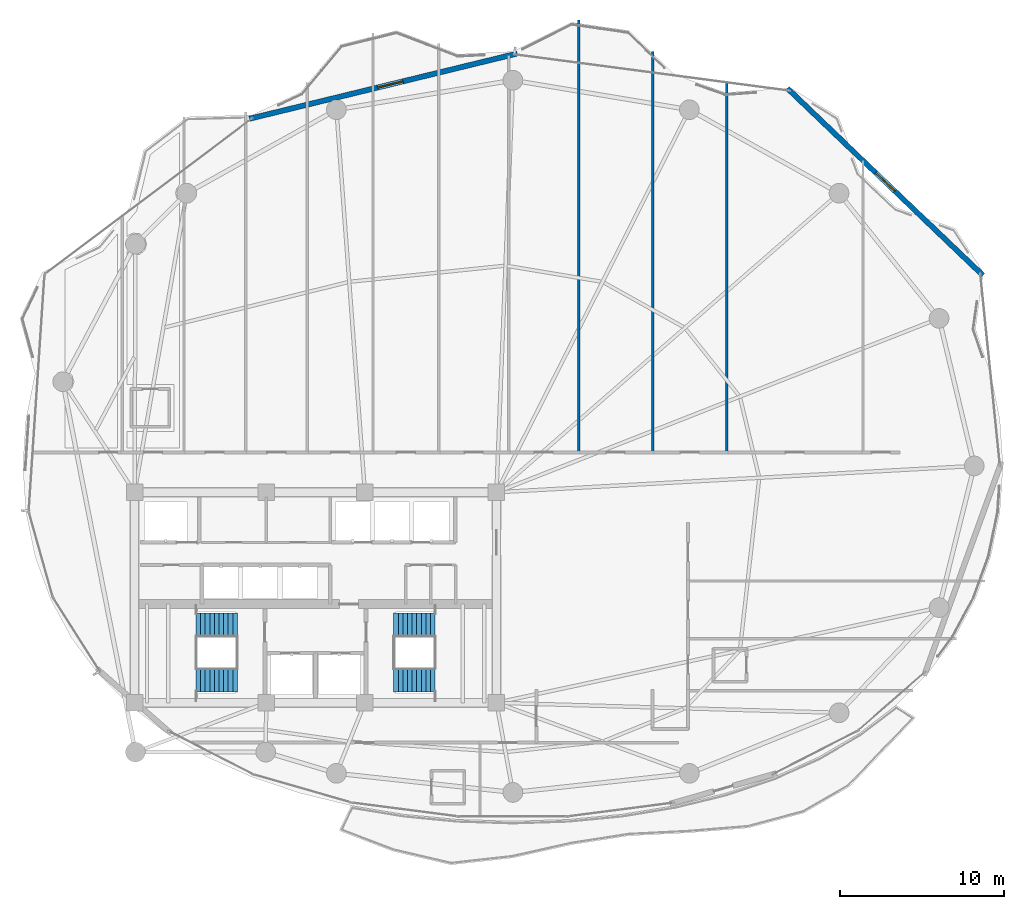
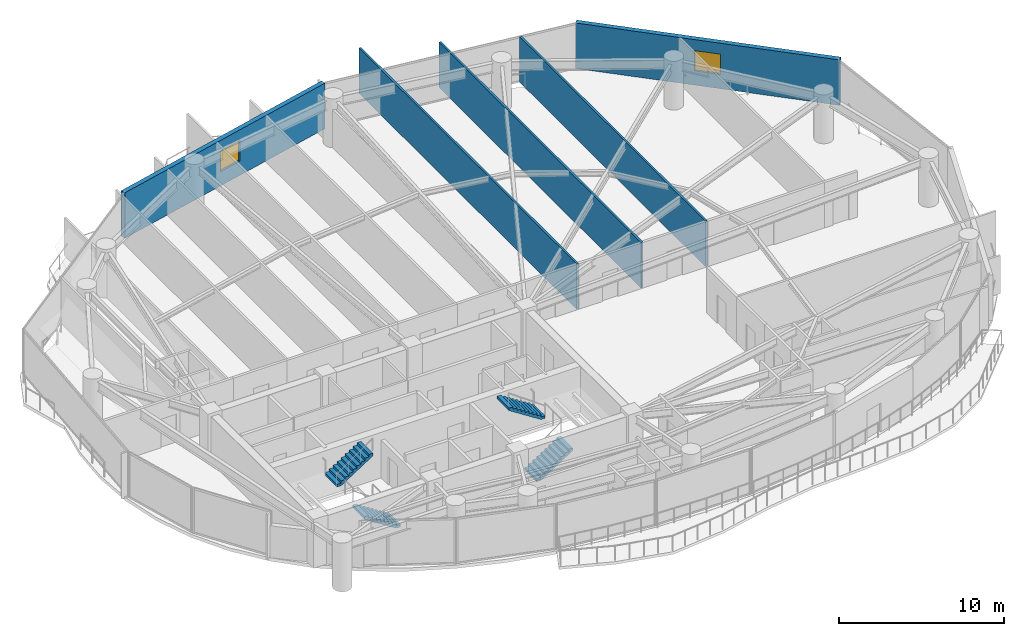
# One storey, part 27 of 31: 5 walls, 4 stair flights, 2 windows, 2 openings, 2 elements without a shape of their own.
"""IFC4 building model written with IfcOpenShell, lengths in metres."""

from ifc_helpers import new_model, si_unit, direction, frame, frame_2d, origin, place, context, subcontext, project, spatial, polyline, rectangle, outline, extrude, material, layer, layer_set, type_object, element, fill, aggregate, save


model = new_model("IFC4")

# Units and contexts
model_context = context("Model", 3, precision=1e-05, world=origin(), true_north=direction((0.0, 1.0)))
body_context = subcontext(model_context, "Body", "Model", "MODEL_VIEW")
ifc_project = project(units=[si_unit("LENGTHUNIT", "METRE"), si_unit("AREAUNIT", "SQUARE_METRE"), si_unit("VOLUMEUNIT", "CUBIC_METRE"), si_unit("PLANEANGLEUNIT", "RADIAN"), si_unit("MASSUNIT", "GRAM", prefix="KILO")], contexts=[model_context])

# Site, building, storey
site_placement = place(None, origin())
site = spatial("IfcSite", under=ifc_project, at=site_placement, CompositionType="ELEMENT")
building_placement = place(site_placement, origin())
building = spatial("IfcBuilding", under=site, at=building_placement, Name="Kazevale Care Tower and Concert Hall", CompositionType="ELEMENT")
storey_placement = place(building_placement, frame((0.0, 0.0, 117.0)))
storey = spatial("IfcBuildingStorey", under=building, at=storey_placement, Name="L30", CompositionType="ELEMENT", Elevation=117.0)

# Walls
ifc_material_1 = material(Name="Acoustic Gypsum on Steel Stud", Category="steel")
ifc_layer_1 = layer(ifc_material_1, 0.139892578125)
ifc_layer_set_1 = layer_set([ifc_layer_1], Name="Acoustic Gypsum on Steel Stud")
wall_type_1 = type_object("IfcWallType", Name="Acoustic Care & Suite Partition 140", PredefinedType="PARTITIONING", material=ifc_layer_set_1)
wall_1_placement = place(storey_placement, frame((49.0, 65.113037109375, 0.0), z_axis=(0.0, 0.0, 1.0), x_axis=(0.0, -1.0, 0.0)))
element("IfcWall", 1, at=wall_1_placement, inside=storey, type_object=wall_type_1, Name="wall:L30:auto_029", PredefinedType="PARTITIONING", context=body_context, shape_type="SweptSolid", body=[
    extrude(rectangle(XDim=26.318115234375, YDim=0.139892578125, at=frame_2d((13.1591796875, 0.0))), origin(), (0.0, 0.0, 1.0), 3.360107421875),
])
wall_2_placement = place(storey_placement, frame((53.5, 63.212890625, 0.0), z_axis=(0.0, 0.0, 1.0), x_axis=(0.0, -1.0, 0.0)))
element("IfcWall", 2, at=wall_2_placement, inside=storey, type_object=wall_type_1, Name="wall:L30:auto_030", PredefinedType="PARTITIONING", context=body_context, shape_type="SweptSolid", body=[
    extrude(rectangle(XDim=24.41796875, YDim=0.139892578125, at=frame_2d((12.208984375, 0.0))), origin(), (0.0, 0.0, 1.0), 3.360107421875),
])
wall_3_placement = place(storey_placement, frame((58.0, 61.302734375, 0.0), z_axis=(0.0, 0.0, 1.0), x_axis=(0.0, -1.0, 0.0)))
element("IfcWall", 3, at=wall_3_placement, inside=storey, type_object=wall_type_1, Name="wall:L30:auto_031", PredefinedType="PARTITIONING", context=body_context, shape_type="SweptSolid", body=[
    extrude(rectangle(XDim=22.5078125, YDim=0.139892578125, at=frame_2d((11.25390625, 0.0))), origin(), (0.0, 0.0, 1.0), 3.360107421875),
])

# Wall, opening, window
ifc_material_2 = material(Name="Concrete C40 with Honed Limestone Cladding", Category="masonry")
ifc_layer_2 = layer(ifc_material_2, 0.320068359375)
ifc_layer_set_2 = layer_set([ifc_layer_2], Name="Concrete C40 with Honed Limestone Cladding")
wall_type_2 = type_object("IfcWallType", Name="Tower Honed Limestone Spandrel Wall 320", PredefinedType="STANDARD", material=ifc_layer_set_2)
wall_4_placement = place(storey_placement, frame((28.97412109375, 59.10693359375, 0.0), z_axis=(0.0, 0.0, 1.0), x_axis=(0.971593971582, 0.236654081699, 0.0)))
wall_4 = element("IfcWall", 4, at=wall_4_placement, inside=storey, type_object=wall_type_2, Name="wall:L30:cbox:15", PredefinedType="STANDARD", context=body_context, shape_type="SweptSolid", body=[
    extrude(rectangle(XDim=16.762939453125, YDim=0.320068359375, at=frame_2d((8.38134765625, 0.0))), origin(), (0.0, 0.0, 1.0), 3.360107421875),
])
opening_1_placement = place(wall_4_placement, frame((8.02099609375, 0.0, 1.050048828125)))
opening_1 = element("IfcOpeningElement", 5, at=opening_1_placement, cuts=wall_4, Name="Opening WIN-1", PredefinedType="OPENING", context=body_context, shape_type="SweptSolid", body=[
    extrude(rectangle(XDim=1.60009765625, YDim=1.5, at=frame_2d((0.800048828125, 0.75))), frame((0.0, 0.169921875, 0.0), z_axis=(0.0, -1.0, 0.0), x_axis=(1.0, 0.0, 0.0)), (0.0, 0.0, 1.0), 0.340087890625),
])
ifc_material_3 = material(Name="Low-E Laminated Glass", Category="glass")
window_type = type_object("IfcWindowType", Name="Convex Box Deep-Set Window 1600x1500", PartitioningType="DOUBLE_PANEL_VERTICAL", PredefinedType="WINDOW", material=ifc_material_3)
window_1_placement = place(opening_1_placement, origin())
window_1 = element("IfcWindow", 6, at=window_1_placement, inside=storey, type_object=window_type, Name="win:L30:cbox:15", OverallHeight=1.5, OverallWidth=1.60009765625, PartitioningType="SINGLE_PANEL", PredefinedType="WINDOW", context=body_context, shape_type="SweptSolid", body=[
    extrude(rectangle(XDim=1.60009765625, YDim=1.5, at=frame_2d((0.800048828125, 0.75))), frame((0.0, 0.030029296875, 0.0), z_axis=(0.0, -1.0, 0.0), x_axis=(1.0, 0.0, 0.0)), (0.0, 0.0, 1.0), 0.06005859375),
])
fill(opening_1, window_1)

wall_5_placement = place(storey_placement, frame((61.68896484375, 60.95703125, 0.0), z_axis=(0.0, 0.0, 1.0), x_axis=(0.722641212534, -0.691223319881, 0.0)))
wall_5 = element("IfcWall", 7, at=wall_5_placement, inside=storey, type_object=wall_type_2, Name="wall:L30:cbox:17", PredefinedType="STANDARD", context=body_context, shape_type="SweptSolid", body=[
    extrude(rectangle(XDim=16.45068359375, YDim=0.320068359375, at=frame_2d((8.225341796875, 0.0))), origin(), (0.0, 0.0, 1.0), 3.360107421875),
])
opening_2_placement = place(wall_5_placement, frame((7.425048828125, 0.0, 1.050048828125)))
opening_2 = element("IfcOpeningElement", 8, at=opening_2_placement, cuts=wall_5, Name="Opening WIN-1", PredefinedType="OPENING", context=body_context, shape_type="SweptSolid", body=[
    extrude(rectangle(XDim=1.60009765625, YDim=1.5, at=frame_2d((0.800048828125, 0.75))), frame((0.0, 0.169921875, 0.0), z_axis=(0.0, -1.0, 0.0), x_axis=(1.0, 0.0, 0.0)), (0.0, 0.0, 1.0), 0.340087890625),
])
window_2_placement = place(opening_2_placement, origin())
window_2 = element("IfcWindow", 9, at=window_2_placement, inside=storey, type_object=window_type, Name="win:L30:cbox:17", OverallHeight=1.5, OverallWidth=1.60009765625, PartitioningType="SINGLE_PANEL", PredefinedType="WINDOW", context=body_context, shape_type="SweptSolid", body=[
    extrude(rectangle(XDim=1.60009765625, YDim=1.5, at=frame_2d((0.800048828125, 0.75))), frame((0.0, 0.030029296875, 0.0), z_axis=(0.0, -1.0, 0.0), x_axis=(1.0, 0.0, 0.0)), (0.0, 0.0, 1.0), 0.06005859375),
])
fill(opening_2, window_2)

# Stair, stair flights
ifc_material_4 = material(Name="Concrete C40", Category="concrete")
stair_type = type_object("IfcStairType", Name="Exit Stair Assembly ST1-Z2", PredefinedType="HALF_TURN_STAIR", material=ifc_material_4)
stair_1_placement = place(storey_placement, origin())
stair_1 = element("IfcStair", 10, at=stair_1_placement, inside=storey, type_object=stair_type, Name="stair:L30:ST1", PredefinedType="HALF_TURN_STAIR")
ifc_layer_3 = layer(ifc_material_4, 0.159912109375)
ifc_layer_set_3 = layer_set([ifc_layer_3], Name="Concrete C40")
stair_flight_type = type_object("IfcStairFlightType", Name="Exit Stair Flight ST1-Z2", PredefinedType="STRAIGHT", material=ifc_layer_set_3)
stair_flight_1_placement = place(storey_placement, frame((28.25, 24.97998046875, 0.0), z_axis=(0.0, 0.0, 1.0), x_axis=(-1.0, 0.0, 0.0)))
stair_flight_1 = element("IfcStairFlight", 11, at=stair_flight_1_placement, type_object=stair_flight_type, Name="ST1-Z2 flight 1", NumberOfRisers=10, NumberOfTreads=9, PredefinedType="STRAIGHT", RiserHeight=0.18, TreadLength=0.28, context=body_context, shape_type="SweptSolid", body=[
    extrude(outline(polyline([(0.0, 0.0), (0.0, 0.179931640625), (0.280029296875, 0.179931640625), (0.280029296875, 0.360107421875), (0.56005859375, 0.360107421875), (0.56005859375, 0.5400390625), (0.840087890625, 0.5400390625), (0.840087890625, 0.719970703125), (1.1201171875, 0.719970703125), (1.1201171875, 0.89990234375), (1.39990234375, 0.89990234375), (1.39990234375, 1.080078125), (1.679931640625, 1.080078125), (1.679931640625, 1.260009765625), (1.9599609375, 1.260009765625), (1.9599609375, 1.43994140625), (2.239990234375, 1.43994140625), (2.239990234375, 1.6201171875), (2.52001953125, 1.6201171875), (2.52001953125, 1.800048828125), (2.52001953125, 1.429931640625), (0.295654296875, 0.0), (0.0, 0.0)])), frame((0.0, 0.72998046875, 0.0), z_axis=(0.0, -1.0, 0.0), x_axis=(1.0, 0.0, 0.0)), (0.0, 0.0, 1.0), 1.4599609375),
])
stair_flight_2_placement = place(storey_placement, frame((25.72998046875, 28.320068359375, 1.800048828125), z_axis=(0.0, 0.0, 1.0), x_axis=(1.0, 0.0, 0.0)))
stair_flight_2 = element("IfcStairFlight", 12, at=stair_flight_2_placement, type_object=stair_flight_type, Name="ST1-Z2 flight 2", NumberOfRisers=10, NumberOfTreads=9, PredefinedType="STRAIGHT", RiserHeight=0.18, TreadLength=0.28, context=body_context, shape_type="SweptSolid", body=[
    extrude(outline(polyline([(0.0, 0.0), (0.0, 0.179931640625), (0.280029296875, 0.179931640625), (0.280029296875, 0.360107421875), (0.56005859375, 0.360107421875), (0.56005859375, 0.5400390625), (0.840087890625, 0.5400390625), (0.840087890625, 0.719970703125), (1.1201171875, 0.719970703125), (1.1201171875, 0.89990234375), (1.39990234375, 0.89990234375), (1.39990234375, 1.080078125), (1.679931640625, 1.080078125), (1.679931640625, 1.260009765625), (1.9599609375, 1.260009765625), (1.9599609375, 1.43994140625), (2.239990234375, 1.43994140625), (2.239990234375, 1.6201171875), (2.52001953125, 1.6201171875), (2.52001953125, 1.800048828125), (2.52001953125, 1.429931640625), (0.295654296875, 0.0), (0.0, 0.0)])), frame((0.0, 0.72998046875, 0.0), z_axis=(0.0, -1.0, 0.0), x_axis=(1.0, 0.0, 0.0)), (0.0, 0.0, 1.0), 1.4599609375),
])
aggregate(stair_1, [stair_flight_1, stair_flight_2])

stair_2_placement = place(storey_placement, origin())
stair_2 = element("IfcStair", 13, at=stair_2_placement, inside=storey, type_object=stair_type, Name="stair:L30:ST2", PredefinedType="HALF_TURN_STAIR")
stair_flight_3_placement = place(storey_placement, frame((37.75, 24.97998046875, 0.0), z_axis=(0.0, 0.0, 1.0), x_axis=(1.0, 0.0, 0.0)))
stair_flight_3 = element("IfcStairFlight", 14, at=stair_flight_3_placement, type_object=stair_flight_type, Name="ST1-Z2 flight 1", NumberOfRisers=10, NumberOfTreads=9, PredefinedType="STRAIGHT", RiserHeight=0.18, TreadLength=0.28, context=body_context, shape_type="SweptSolid", body=[
    extrude(outline(polyline([(0.0, 0.0), (0.0, 0.179931640625), (0.280029296875, 0.179931640625), (0.280029296875, 0.360107421875), (0.56005859375, 0.360107421875), (0.56005859375, 0.5400390625), (0.840087890625, 0.5400390625), (0.840087890625, 0.719970703125), (1.1201171875, 0.719970703125), (1.1201171875, 0.89990234375), (1.39990234375, 0.89990234375), (1.39990234375, 1.080078125), (1.679931640625, 1.080078125), (1.679931640625, 1.260009765625), (1.9599609375, 1.260009765625), (1.9599609375, 1.43994140625), (2.239990234375, 1.43994140625), (2.239990234375, 1.6201171875), (2.52001953125, 1.6201171875), (2.52001953125, 1.800048828125), (2.52001953125, 1.429931640625), (0.295654296875, 0.0), (0.0, 0.0)])), frame((0.0, 0.72998046875, 0.0), z_axis=(0.0, -1.0, 0.0), x_axis=(1.0, 0.0, 0.0)), (0.0, 0.0, 1.0), 1.4599609375),
])
stair_flight_4_placement = place(storey_placement, frame((40.27001953125, 28.320068359375, 1.800048828125), z_axis=(0.0, 0.0, 1.0), x_axis=(-1.0, 0.0, 0.0)))
stair_flight_4 = element("IfcStairFlight", 15, at=stair_flight_4_placement, type_object=stair_flight_type, Name="ST1-Z2 flight 2", NumberOfRisers=10, NumberOfTreads=9, PredefinedType="STRAIGHT", RiserHeight=0.18, TreadLength=0.28, context=body_context, shape_type="SweptSolid", body=[
    extrude(outline(polyline([(0.0, 0.0), (0.0, 0.179931640625), (0.280029296875, 0.179931640625), (0.280029296875, 0.360107421875), (0.56005859375, 0.360107421875), (0.56005859375, 0.5400390625), (0.840087890625, 0.5400390625), (0.840087890625, 0.719970703125), (1.1201171875, 0.719970703125), (1.1201171875, 0.89990234375), (1.39990234375, 0.89990234375), (1.39990234375, 1.080078125), (1.679931640625, 1.080078125), (1.679931640625, 1.260009765625), (1.9599609375, 1.260009765625), (1.9599609375, 1.43994140625), (2.239990234375, 1.43994140625), (2.239990234375, 1.6201171875), (2.52001953125, 1.6201171875), (2.52001953125, 1.800048828125), (2.52001953125, 1.429931640625), (0.295654296875, 0.0), (0.0, 0.0)])), frame((0.0, 0.72998046875, 0.0), z_axis=(0.0, -1.0, 0.0), x_axis=(1.0, 0.0, 0.0)), (0.0, 0.0, 1.0), 1.4599609375),
])
aggregate(stair_2, [stair_flight_3, stair_flight_4])

save(model, "model.ifc")
